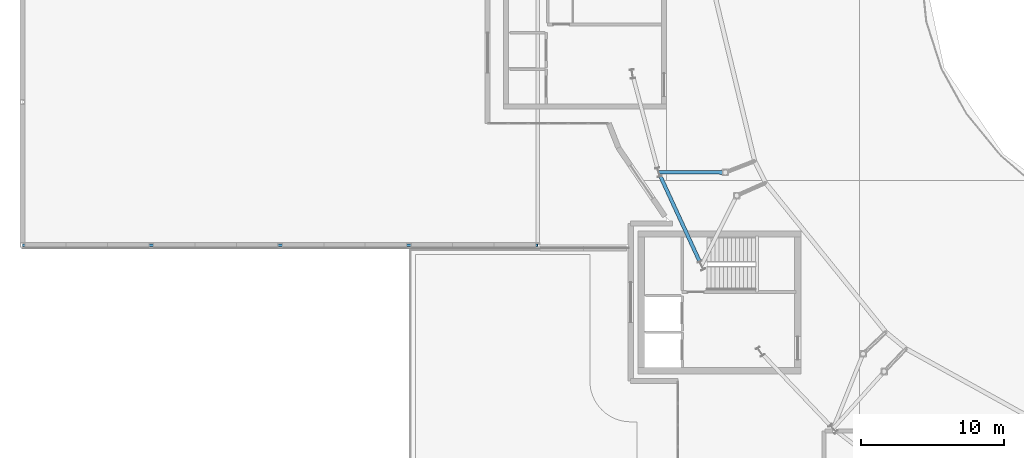
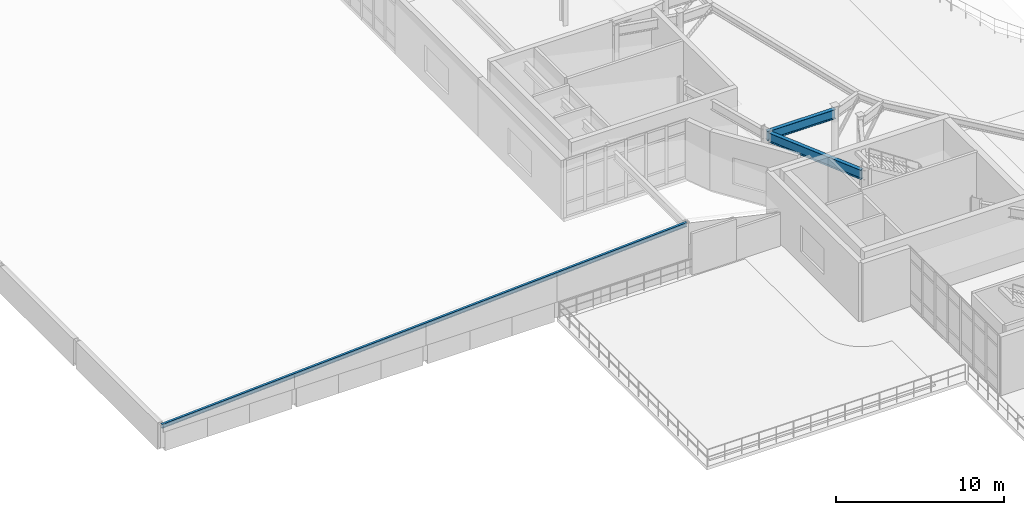
# One storey, part 14 of 48: 3 beams.
"""IFC4 building model written with IfcOpenShell, lengths in metres."""

from ifc_helpers import new_model, si_unit, direction, frame, origin, origin_2d, place, context, subcontext, project, spatial, i_section, extrude, material, material_profile, profile_set, type_object, element, save


model = new_model("IFC4")

# Units and contexts
model_context = context("Model", 3, precision=1e-05, world=origin(), true_north=direction((0.0, 1.0)))
body_context = subcontext(model_context, "Body", "Model", "MODEL_VIEW")
ifc_project = project(units=[si_unit("LENGTHUNIT", "METRE"), si_unit("AREAUNIT", "SQUARE_METRE"), si_unit("VOLUMEUNIT", "CUBIC_METRE"), si_unit("PLANEANGLEUNIT", "RADIAN"), si_unit("MASSUNIT", "GRAM", prefix="KILO")], contexts=[model_context])

# Site, building, storey
site_placement = place(None, origin())
site = spatial("IfcSite", under=ifc_project, at=site_placement, CompositionType="ELEMENT")
building_placement = place(site_placement, origin())
building = spatial("IfcBuilding", under=site, at=building_placement, Name="Glasvene Arena", CompositionType="ELEMENT")
storey_placement = place(building_placement, frame((0.0, 0.0, 19.5)))
storey = spatial("IfcBuildingStorey", under=building, at=storey_placement, Name="L04", CompositionType="ELEMENT", Elevation=19.5)

# Beams
ifc_material = material(Name="Steel S355J2", Category="steel")
ifc_material_profile_1 = material_profile(ifc_material, i_section(OverallWidth=0.253662109375, OverallDepth=0.68359375, WebThickness=0.012451171875, FlangeThickness=0.01904296875, FilletRadius=0.01513671875, at=origin_2d()), Name="UKB 686x254x140")
ifc_profile_set_1 = profile_set([ifc_material_profile_1], Name="Steel S355J2")
beam_type_1 = type_object("IfcBeamType", Name="BM-GIRD-686", PredefinedType="BEAM", material=ifc_profile_set_1)
beam_1_placement = place(storey_placement, frame((44.547607421875, 58.876220703125, 3.908203125), z_axis=(0.418069169042, -0.908415196866, 0.0), x_axis=(0.908415196866, 0.418069169042, 0.0)))
element("IfcBeam", 1, at=beam_1_placement, inside=storey, type_object=beam_type_1, Name="Bowl ring chord beam L04-23", PredefinedType="BEAM", context=body_context, shape_type="SweptSolid", body=[
    extrude(i_section(OverallWidth=0.253662109375, OverallDepth=0.68359375, WebThickness=0.012451171875, FlangeThickness=0.01904296875, FilletRadius=0.01513671875, at=origin_2d()), origin(), (0.0, 0.0, 1.0), 6.70166015625),
])
beam_2_placement = place(storey_placement, frame((49.113037109375, 59.077392578125, 3.908203125), z_axis=(-0.999993482259, 0.003610462575, 0.0), x_axis=(-0.003610462575, -0.999993482259, 0.0)))
element("IfcBeam", 2, at=beam_2_placement, inside=storey, type_object=beam_type_1, Name="Gondola outer floor beam 18", PredefinedType="BEAM", context=body_context, shape_type="SweptSolid", body=[
    extrude(i_section(OverallWidth=0.253662109375, OverallDepth=0.68359375, WebThickness=0.012451171875, FlangeThickness=0.01904296875, FilletRadius=0.01513671875, at=origin_2d()), origin(), (0.0, 0.0, 1.0), 4.665771484375),
])
ifc_material_profile_2 = material_profile(ifc_material, i_section(OverallWidth=0.1650390625, OverallDepth=0.303466796875, WebThickness=0.006103515625, FlangeThickness=0.01025390625, FilletRadius=0.0087890625, at=origin_2d()), Name="UKB 305x165x40")
ifc_profile_set_2 = profile_set([ifc_material_profile_2], Name="Steel S355J2")
beam_type_2 = type_object("IfcBeamType", Name="BM-RAFTER-305", PredefinedType="BEAM", material=ifc_profile_set_2)
beam_3_placement = place(storey_placement, frame((0.0, 54.0, 1.489990234375), z_axis=(0.998382520726, 0.0, 0.056853692129), x_axis=(0.0, 1.0, 0.0)))
element("IfcBeam", 3, at=beam_3_placement, inside=storey, type_object=beam_type_2, Name="Wing roof rafter V4-W-54", PredefinedType="BEAM", context=body_context, shape_type="SweptSolid", body=[
    extrude(i_section(OverallWidth=0.1650390625, OverallDepth=0.303466796875, WebThickness=0.006103515625, FlangeThickness=0.01025390625, FilletRadius=0.0087890625, at=origin_2d()), origin(), (0.0, 0.0, 1.0), 36.058349609375),
])

save(model, "model.ifc")
